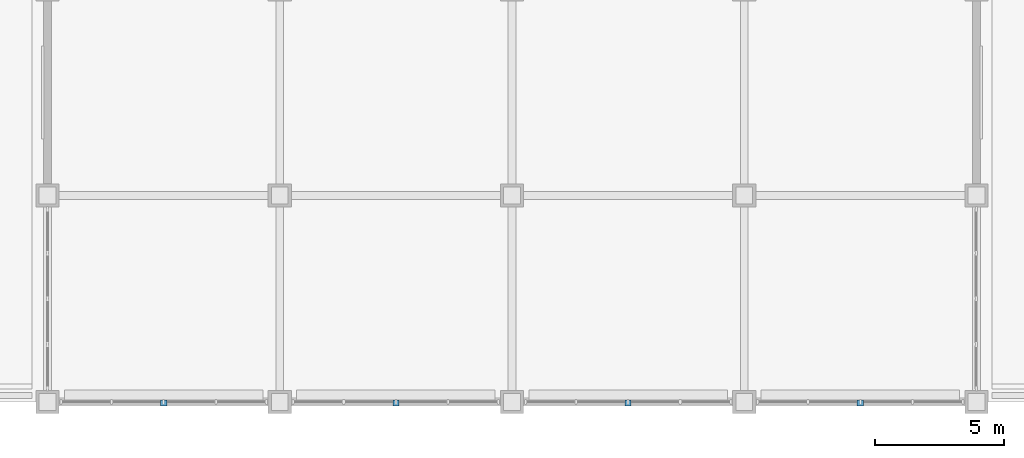
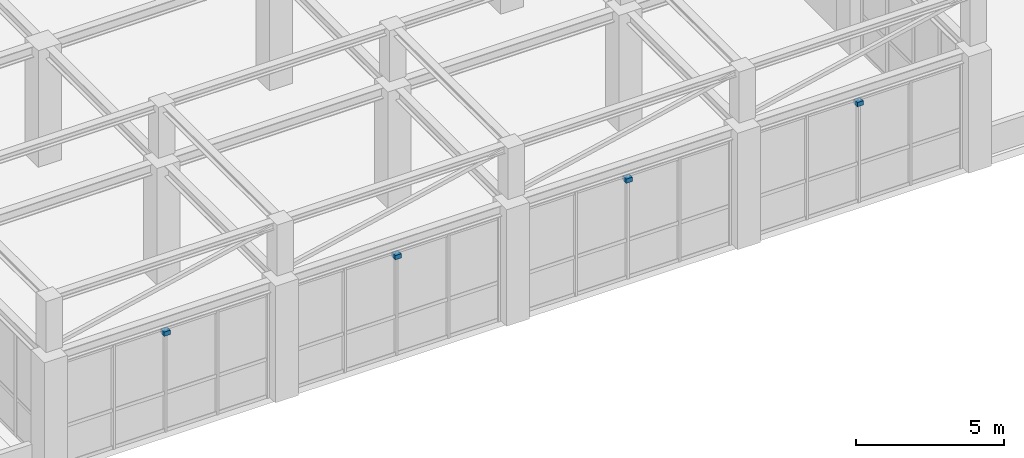
# One storey, part 27 of 34: 4 discrete accessories.
"""IFC4 building model written with IfcOpenShell, lengths in metres."""

import ifcopenshell
import ifcopenshell.guid

model = None  # the IFC model being written
_history = None  # IfcOwnerHistory: only IFC2X3 demands one
_inside = {}  # id of a spatial element -> (the spatial element, [elements in it])
_under = {}  # id of a project, library or spatial element -> (it, [spatial elements below it])
_declared = {}  # id of a project -> (the project, [libraries it declares])
_typed = {}  # id of a type object -> (the type object, [elements of that type])
_made_of = {}  # id of a material, layer set ... -> (it, [elements and type objects made of it])


def new_model(schema):
    """Start an empty IFC model of exactly this schema.

    Asked for "IFC4X3", IfcOpenShell would pick the latest addendum, in which some entities
    have other attributes; the version numbers below select the first issue.
    IFC2X3 requires an IfcOwnerHistory on every rooted entity: one is made here for all.
    """
    global model, _history
    if schema == "IFC4X3":
        model = ifcopenshell.file(schema_version=(4, 3, 0, 0))
    else:
        model = ifcopenshell.file(schema=schema)
    _inside.clear()
    _under.clear()
    _declared.clear()
    _typed.clear()
    _made_of.clear()
    _history = None
    if model.schema == "IFC2X3":
        org = make("IfcOrganization", Name="unknown")
        user = make(
            "IfcPersonAndOrganization",
            ThePerson=make("IfcPerson", FamilyName="unknown"),
            TheOrganization=org,
        )
        app = make(
            "IfcApplication",
            ApplicationDeveloper=org,
            Version="unknown",
            ApplicationFullName="unknown",
            ApplicationIdentifier="unknown",
        )
        _history = make(
            "IfcOwnerHistory",
            OwningUser=user,
            OwningApplication=app,
            ChangeAction="ADDED",
            CreationDate=0,
        )
    return model


def make(cls, **values):
    """One entity of the class cls with the attributes given. An attribute that is None is left unset."""
    return model.create_entity(
        cls, **{name: value for name, value in values.items() if value is not None}
    )


def rooted(cls, **values):
    """An entity with a GlobalId (a new one), such as an element, a storey or a relation."""
    return make(cls, GlobalId=ifcopenshell.guid.new(), OwnerHistory=_history, **values)


def si_unit(unit_type, name, prefix=None):
    """IfcSIUnit, for example si_unit("LENGTHUNIT", "METRE", prefix="MILLI")."""
    return make("IfcSIUnit", UnitType=unit_type, Prefix=prefix, Name=name)


def assignment(units):
    """IfcUnitAssignment: the units of a project."""
    return None if units is None else make("IfcUnitAssignment", Units=units)


def point(xyz):
    """IfcCartesianPoint."""
    return None if xyz is None else make("IfcCartesianPoint", Coordinates=xyz)


def direction(xyz):
    """IfcDirection."""
    return None if xyz is None else make("IfcDirection", DirectionRatios=xyz)


def frame(location, z_axis=None, x_axis=None):
    """IfcAxis2Placement3D, a coordinate frame: its origin and axes. An axis left out is left unset."""
    return make(
        "IfcAxis2Placement3D",
        Location=point(location),
        Axis=direction(z_axis),
        RefDirection=direction(x_axis),
    )


def frame_2d(location, x_axis=None):
    """IfcAxis2Placement2D, a coordinate frame in the plane: its origin and x axis."""
    return make(
        "IfcAxis2Placement2D", Location=point(location), RefDirection=direction(x_axis)
    )


def origin():
    """The frame at (0, 0, 0) with its axes left unset."""
    return frame((0.0, 0.0, 0.0))


def origin_2d():
    """The frame at (0, 0) in the plane with its x axis left unset."""
    return frame_2d((0.0, 0.0))


def place(relative_to, where):
    """IfcLocalPlacement: puts the frame where relative to a parent placement (None: the world)."""
    return make(
        "IfcLocalPlacement", PlacementRelTo=relative_to, RelativePlacement=where
    )


def context(
    kind, dimensions, precision=None, world=None, true_north=None, identifier=None
):
    """IfcGeometricRepresentationContext, for example the 3D "Model" context."""
    return make(
        "IfcGeometricRepresentationContext",
        ContextIdentifier=identifier,
        ContextType=kind,
        CoordinateSpaceDimension=dimensions,
        Precision=precision,
        WorldCoordinateSystem=world,
        TrueNorth=true_north,
    )


def subcontext(parent, identifier, kind, view, scale=None):
    """IfcGeometricRepresentationSubContext, for example "Body" below "Model"."""
    return make(
        "IfcGeometricRepresentationSubContext",
        ContextIdentifier=identifier,
        ContextType=kind,
        ParentContext=parent,
        TargetScale=scale,
        TargetView=view,
    )


def project(units=None, contexts=None):
    """IfcProject with its units and contexts."""
    return rooted(
        "IfcProject",
        Name="project",
        RepresentationContexts=contexts,
        UnitsInContext=assignment(units),
    )


def spatial(cls, under=None, at=None, **own):
    """A site, building, storey or space (cls), placed at a placement, below another one or the project."""
    s = rooted(cls, ObjectPlacement=at, **own)
    if under is not None:
        _under.setdefault(under.id(), (under, []))[1].append(s)
    return s


def profile(cls, at=None, kind="AREA", **sizes):
    """A parametric profile (cls). Its sizes go by their IFC names, for example OverallWidth=200.0."""
    return make(cls, ProfileType=kind, Position=at, **sizes)


def rectangle(**sizes):
    """IfcRectangleProfileDef."""
    return profile("IfcRectangleProfileDef", **sizes)


def extrude(swept, where, along, depth):
    """IfcExtrudedAreaSolid: the profile swept, set in the frame where, extruded along a direction by depth."""
    return make(
        "IfcExtrudedAreaSolid",
        SweptArea=swept,
        Position=where,
        ExtrudedDirection=direction(along),
        Depth=depth,
    )


def shape(context_of_items, identifier, shape_type, items):
    """IfcShapeRepresentation: the items that make up one representation, for example the "Body"."""
    return make(
        "IfcShapeRepresentation",
        ContextOfItems=context_of_items,
        RepresentationIdentifier=identifier,
        RepresentationType=shape_type,
        Items=items,
    )


def material(Name=None, Category=None):
    """IfcMaterial."""
    return make("IfcMaterial", Name=Name, Category=Category)


def layer(
    of_material, thickness, ventilated=None, Name=None, Category=None, Priority=None
):
    """IfcMaterialLayer: one layer of a wall or slab, of a material (None: an air gap)."""
    return make(
        "IfcMaterialLayer",
        Material=of_material,
        LayerThickness=thickness,
        IsVentilated=ventilated,
        Name=Name,
        Category=Category,
        Priority=Priority,
    )


def layer_set(layers, Name=None):
    """IfcMaterialLayerSet."""
    return make("IfcMaterialLayerSet", MaterialLayers=layers, LayerSetName=Name)


def made_of(thing, what):
    """Note that an element or type object is made of a material, layer set ...; save() writes the relation."""
    if what is not None:
        _made_of.setdefault(what.id(), (what, []))[1].append(thing)
    return thing


def type_object(cls, material=None, **own):
    """A type object (cls), such as IfcWallType, which elements share."""
    return made_of(rooted(cls, **own), material)


def element(
    cls,
    number,
    at=None,
    inside=None,
    cuts=None,
    type_object=None,
    material=None,
    context=None,
    identifier="Body",
    shape_type=None,
    held_by="IfcProductDefinitionShape",
    body=None,
    shapes=None,
    **own,
):
    """One element of the class cls, such as IfcWall. Its Tag is "e" and its number.

    at: its placement. inside: the storey or other place that contains it. cuts: it is an
    opening in that element (IfcRelVoidsElement). A single representation is given by context,
    identifier, shape_type and body (its items); several are given by shapes. held_by: the class
    of the entity that holds the representations. save() writes the other relations.
    """
    e = rooted(cls, Tag="e%d" % number, ObjectPlacement=at, **own)
    if body is not None:
        shapes = [shape(context, identifier, shape_type, body)]
    if shapes is not None:
        e.Representation = make(held_by, Representations=shapes)
    if inside is not None:
        _inside.setdefault(inside.id(), (inside, []))[1].append(e)
    if cuts is not None:
        rooted(
            "IfcRelVoidsElement", RelatingBuildingElement=cuts, RelatedOpeningElement=e
        )
    if type_object is not None:
        _typed.setdefault(type_object.id(), (type_object, []))[1].append(e)
    return made_of(e, material)


def aggregate(whole, parts):
    """IfcRelAggregates: a whole, such as a stair, and the parts it consists of."""
    return rooted("IfcRelAggregates", RelatingObject=whole, RelatedObjects=parts)


def save(model, path):
    """Write the relations noted so far, then the file.

    IfcRelAggregates (storeys below a building ...), IfcRelContainedInSpatialStructure (elements
    in a storey), IfcRelDefinesByType, IfcRelAssociatesMaterial and IfcRelDeclares: one each for
    every whole, place, type object, material and project.
    """
    for whole, parts in _under.values():
        aggregate(whole, parts)
    for where, things in _inside.values():
        rooted(
            "IfcRelContainedInSpatialStructure",
            RelatedElements=things,
            RelatingStructure=where,
        )
    for kind, things in _typed.values():
        rooted("IfcRelDefinesByType", RelatedObjects=things, RelatingType=kind)
    for what, things in _made_of.values():
        rooted("IfcRelAssociatesMaterial", RelatedObjects=things, RelatingMaterial=what)
    for by, libraries in _declared.values():
        rooted("IfcRelDeclares", RelatingContext=by, RelatedDefinitions=libraries)
    model.write(path)


model = new_model("IFC4")

# Units and contexts
model_context = context("Model", 3, precision=1e-05, world=origin(), true_north=direction((0.0, 1.0)))
body_context = subcontext(model_context, "Body", "Model", "MODEL_VIEW")
ifc_project = project(units=[si_unit("LENGTHUNIT", "METRE"), si_unit("AREAUNIT", "SQUARE_METRE"), si_unit("VOLUMEUNIT", "CUBIC_METRE"), si_unit("PLANEANGLEUNIT", "RADIAN"), si_unit("MASSUNIT", "GRAM", prefix="KILO")], contexts=[model_context])

# Site, building, storey
site_placement = place(None, origin())
site = spatial("IfcSite", under=ifc_project, at=site_placement, CompositionType="ELEMENT")
building_placement = place(site_placement, origin())
building = spatial("IfcBuilding", under=site, at=building_placement, Name="Zaverband Oceanarium and Marine Research Institute", CompositionType="ELEMENT")
storey_placement = place(building_placement, frame((0.0, 0.0, 18.0)))
storey = spatial("IfcBuildingStorey", under=building, at=storey_placement, Name="L04", CompositionType="ELEMENT", Elevation=18.0)

# Discrete accessories
ifc_material = material(Name="Steel S355", Category="steel")
ifc_layer = layer(ifc_material, 0.179931640625, Name="Steel S355")
ifc_layer_set = layer_set([ifc_layer], Name="Steel S355")
discrete_accessory_type = type_object("IfcDiscreteAccessoryType", Name="BRK-STL-200", PredefinedType="BRACKET", material=ifc_layer_set)
for number, where, z_axis, x_axis, name in (
    (1, (76.5, -0.0400390625, 4.02001953125), (0.0, 0.0, 1.0), (1.0, 0.0, 0.0), "Galvanized steel facade fin structural bracket BRK-STL-200"),
    (2, (85.5, -0.0400390625, 4.02001953125), (0.0, 0.0, 1.0), (1.0, 0.0, 0.0), "Galvanized steel facade fin structural bracket BRK-STL-200"),
    (3, (94.5, -0.0400390625, 4.02001953125), (0.0, 0.0, 1.0), (1.0, 0.0, 0.0), "Galvanized steel facade fin structural bracket BRK-STL-200"),
    (4, (103.5, -0.0400390625, 4.02001953125), (0.0, 0.0, 1.0), (1.0, 0.0, 0.0), "Galvanized steel facade fin structural bracket BRK-STL-200"),
):
    element("IfcDiscreteAccessory", number, at=place(storey_placement, frame(where, z_axis=z_axis, x_axis=x_axis)), inside=storey, type_object=discrete_accessory_type, Name=name, PredefinedType="BRACKET", context=body_context, shape_type="SweptSolid", body=[
        extrude(rectangle(XDim=0.239990234375, YDim=0.239990234375, at=origin_2d()), origin(), (0.0, 0.0, 1.0), 0.179931640625),
    ])

save(model, "model.ifc")
